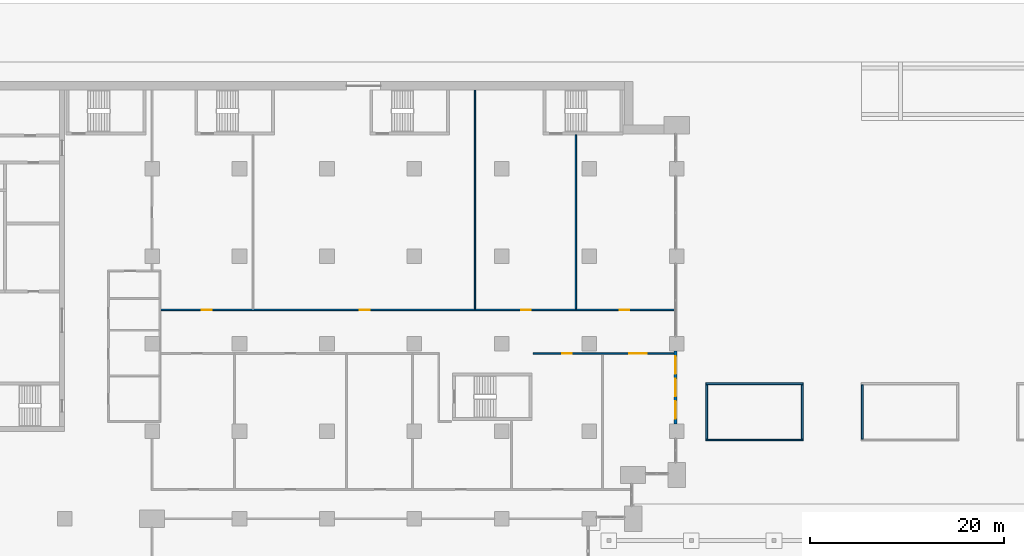
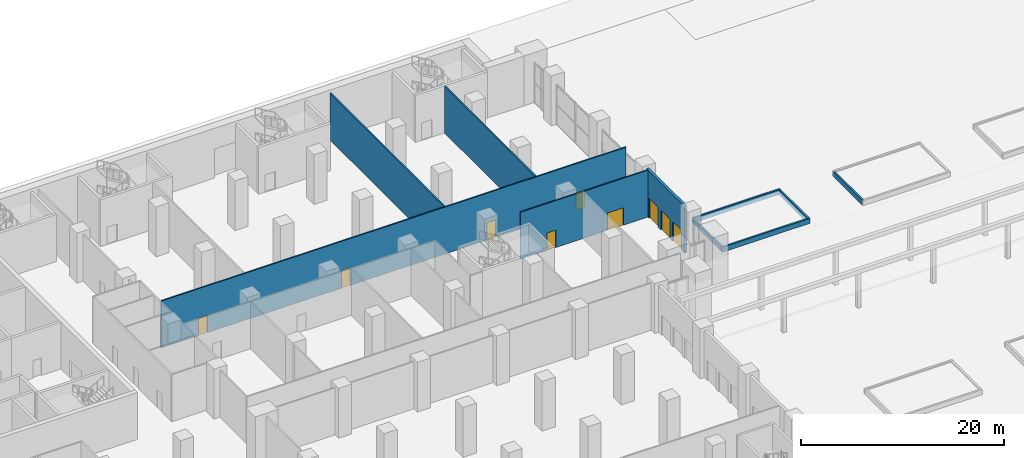
# One storey, part 22 of 47: 10 walls, 9 doors, 9 openings.
"""IFC4 building model written with IfcOpenShell, lengths in metres."""

from ifc_helpers import new_model, si_unit, direction, frame, frame_2d, origin, place, context, subcontext, project, spatial, rectangle, extrude, material, layer, layer_set, type_object, element, fill, save


model = new_model("IFC4")

# Units and contexts
model_context = context("Model", 3, precision=1e-05, world=origin(), true_north=direction((0.0, 1.0)))
body_context = subcontext(model_context, "Body", "Model", "MODEL_VIEW")
ifc_project = project(units=[si_unit("LENGTHUNIT", "METRE"), si_unit("AREAUNIT", "SQUARE_METRE"), si_unit("VOLUMEUNIT", "CUBIC_METRE"), si_unit("PLANEANGLEUNIT", "RADIAN"), si_unit("MASSUNIT", "GRAM", prefix="KILO")], contexts=[model_context])

# Site, building, storey
site_placement = place(None, origin())
site = spatial("IfcSite", under=ifc_project, at=site_placement, CompositionType="ELEMENT")
building_placement = place(site_placement, origin())
building = spatial("IfcBuilding", under=site, at=building_placement, Name="Hunhe Ridgeline Campus", CompositionType="ELEMENT")
storey_placement = place(building_placement, origin())
storey = spatial("IfcBuildingStorey", under=building, at=storey_placement, Name="L00", CompositionType="ELEMENT", Elevation=0.0)

# Wall, openings, doors
ifc_material_1 = material(Name="Plastered blockwork", Category="masonry")
ifc_layer_1 = layer(ifc_material_1, 0.14990234375)
ifc_layer_set_1 = layer_set([ifc_layer_1], Name="Blockwork partition 150")
wall_type_1 = type_object("IfcWallType", Name="Blockwork partition 150", PredefinedType="PARTITIONING", material=ifc_layer_set_1)
wall_1_placement = place(storey_placement, frame((84.199951171875, 71.0, 0.0), z_axis=(0.0, 0.0, 1.0), x_axis=(1.0, 0.0, 0.0)))
wall_1 = element("IfcWall", 1, at=wall_1_placement, inside=storey, type_object=wall_type_1, Name="L00 partition", PredefinedType="PARTITIONING", context=body_context, shape_type="SweptSolid", body=[
    extrude(rectangle(XDim=14.5, YDim=0.14990234375, at=frame_2d((7.25, 0.0))), origin(), (0.0, 0.0, 1.0), 5.64990234375),
])
opening_1_placement = place(wall_1_placement, frame((3.0, 0.0, 0.0)))
opening_1 = element("IfcOpeningElement", 2, at=opening_1_placement, cuts=wall_1, Name="Opening PD164", PredefinedType="OPENING", context=body_context, shape_type="SweptSolid", body=[
    extrude(rectangle(XDim=1.0, YDim=2.10009765625, at=frame_2d((0.5, 1.050048828125))), frame((0.0, 0.074951171875, 0.0), z_axis=(0.0, -1.0, 0.0), x_axis=(1.0, 0.0, 0.0)), (0.0, 0.0, 1.0), 0.14990234375),
])
opening_2_placement = place(wall_1_placement, frame((9.89599609375, 0.0, 0.0)))
opening_2 = element("IfcOpeningElement", 3, at=opening_2_placement, cuts=wall_1, Name="Opening PD165", PredefinedType="OPENING", context=body_context, shape_type="SweptSolid", body=[
    extrude(rectangle(XDim=1.800048828125, YDim=2.10009765625, at=frame_2d((0.89990234375, 1.050048828125))), frame((0.0, 0.074951171875, 0.0), z_axis=(0.0, -1.0, 0.0), x_axis=(1.0, 0.0, 0.0)), (0.0, 0.0, 1.0), 0.14990234375),
])
ifc_material_2 = material(Name="Timber", Category="wood")
door_type_1 = type_object("IfcDoorType", Name="Podium timber door 1000x2100", OperationType="NOTDEFINED", PredefinedType="DOOR", material=ifc_material_2)
door_1_placement = place(opening_1_placement, origin())
door_1 = element("IfcDoor", 4, at=door_1_placement, inside=storey, type_object=door_type_1, Name="Counselling Suite door", OperationType="SINGLE_SWING_LEFT", OverallHeight=2.10009765625, OverallWidth=1.0, PredefinedType="DOOR", context=body_context, shape_type="SweptSolid", body=[
    extrude(rectangle(XDim=1.0, YDim=2.10009765625, at=frame_2d((0.5, 1.050048828125))), frame((0.0, 0.02490234375, 0.0), z_axis=(0.0, -1.0, 0.0), x_axis=(1.0, 0.0, 0.0)), (0.0, 0.0, 1.0), 0.050048828125),
])
fill(opening_1, door_1)
door_type_2 = type_object("IfcDoorType", Name="Podium timber double door 1800x2100", OperationType="NOTDEFINED", PredefinedType="DOOR", material=ifc_material_2)
door_2_placement = place(opening_2_placement, origin())
door_2 = element("IfcDoor", 5, at=door_2_placement, inside=storey, type_object=door_type_2, Name="Multifaith Room door", OperationType="DOUBLE_DOOR_SINGLE_SWING", OverallHeight=2.10009765625, OverallWidth=1.800048828125, PredefinedType="DOOR", context=body_context, shape_type="SweptSolid", body=[
    extrude(rectangle(XDim=1.800048828125, YDim=2.10009765625, at=frame_2d((0.89990234375, 1.050048828125))), frame((0.0, 0.02490234375, 0.0), z_axis=(0.0, -1.0, 0.0), x_axis=(1.0, 0.0, 0.0)), (0.0, 0.0, 1.0), 0.050048828125),
])
fill(opening_2, door_2)

wall_2_placement = place(storey_placement, frame((98.820068359375, 75.5, 0.0), z_axis=(0.0, 0.0, 1.0), x_axis=(-1.0, 0.0, 0.0)))
wall_2 = element("IfcWall", 6, at=wall_2_placement, inside=storey, type_object=wall_type_1, Name="L00 partition", PredefinedType="PARTITIONING", context=body_context, shape_type="SweptSolid", body=[
    extrude(rectangle(XDim=52.945068359375, YDim=0.14990234375, at=frame_2d((26.47265625, 0.0))), origin(), (0.0, 0.0, 1.0), 5.64990234375),
])
opening_3_placement = place(wall_2_placement, frame((47.695068359375, 0.0, 0.0)))
opening_3 = element("IfcOpeningElement", 7, at=opening_3_placement, cuts=wall_2, Name="Opening PD166", PredefinedType="OPENING", context=body_context, shape_type="SweptSolid", body=[
    extrude(rectangle(XDim=1.0, YDim=2.10009765625, at=frame_2d((0.5, 1.050048828125))), frame((0.0, 0.074951171875, 0.0), z_axis=(0.0, -1.0, 0.0), x_axis=(1.0, 0.0, 0.0)), (0.0, 0.0, 1.0), 0.14990234375),
])
opening_4_placement = place(wall_2_placement, frame((31.43505859375, 0.0, 0.0)))
opening_4 = element("IfcOpeningElement", 8, at=opening_4_placement, cuts=wall_2, Name="Opening PD168", PredefinedType="OPENING", context=body_context, shape_type="SweptSolid", body=[
    extrude(rectangle(XDim=1.0, YDim=2.10009765625, at=frame_2d((0.5, 1.050048828125))), frame((0.0, 0.074951171875, 0.0), z_axis=(0.0, -1.0, 0.0), x_axis=(1.0, 0.0, 0.0)), (0.0, 0.0, 1.0), 0.14990234375),
])
opening_5_placement = place(wall_2_placement, frame((14.839111328125, 0.0, 0.0)))
opening_5 = element("IfcOpeningElement", 9, at=opening_5_placement, cuts=wall_2, Name="Opening PD169", PredefinedType="OPENING", context=body_context, shape_type="SweptSolid", body=[
    extrude(rectangle(XDim=1.0, YDim=2.10009765625, at=frame_2d((0.5, 1.050048828125))), frame((0.0, 0.074951171875, 0.0), z_axis=(0.0, -1.0, 0.0), x_axis=(1.0, 0.0, 0.0)), (0.0, 0.0, 1.0), 0.14990234375),
])
opening_6_placement = place(wall_2_placement, frame((4.705078125, 0.0, 0.0)))
opening_6 = element("IfcOpeningElement", 10, at=opening_6_placement, cuts=wall_2, Name="Opening PD170", PredefinedType="OPENING", context=body_context, shape_type="SweptSolid", body=[
    extrude(rectangle(XDim=1.0, YDim=2.10009765625, at=frame_2d((0.5, 1.050048828125))), frame((0.0, 0.074951171875, 0.0), z_axis=(0.0, -1.0, 0.0), x_axis=(1.0, 0.0, 0.0)), (0.0, 0.0, 1.0), 0.14990234375),
])
door_3_placement = place(opening_3_placement, origin())
door_3 = element("IfcDoor", 11, at=door_3_placement, inside=storey, type_object=door_type_1, Name="Goods Receiving Store door", OperationType="SINGLE_SWING_RIGHT", OverallHeight=2.10009765625, OverallWidth=1.0, PredefinedType="DOOR", context=body_context, shape_type="SweptSolid", body=[
    extrude(rectangle(XDim=1.0, YDim=2.10009765625, at=frame_2d((0.5, 1.050048828125))), frame((0.0, 0.02490234375, 0.0), z_axis=(0.0, -1.0, 0.0), x_axis=(1.0, 0.0, 0.0)), (0.0, 0.0, 1.0), 0.050048828125),
])
fill(opening_3, door_3)
door_4_placement = place(opening_4_placement, origin())
door_4 = element("IfcDoor", 12, at=door_4_placement, inside=storey, type_object=door_type_1, Name="Loading Bay door", OperationType="SINGLE_SWING_RIGHT", OverallHeight=2.10009765625, OverallWidth=1.0, PredefinedType="DOOR", context=body_context, shape_type="SweptSolid", body=[
    extrude(rectangle(XDim=1.0, YDim=2.10009765625, at=frame_2d((0.5, 1.050048828125))), frame((0.0, 0.02490234375, 0.0), z_axis=(0.0, -1.0, 0.0), x_axis=(1.0, 0.0, 0.0)), (0.0, 0.0, 1.0), 0.050048828125),
])
fill(opening_4, door_4)
door_5_placement = place(opening_5_placement, origin())
door_5 = element("IfcDoor", 13, at=door_5_placement, inside=storey, type_object=door_type_1, Name="Refuse Store door", OperationType="SINGLE_SWING_LEFT", OverallHeight=2.10009765625, OverallWidth=1.0, PredefinedType="DOOR", context=body_context, shape_type="SweptSolid", body=[
    extrude(rectangle(XDim=1.0, YDim=2.10009765625, at=frame_2d((0.5, 1.050048828125))), frame((0.0, 0.02490234375, 0.0), z_axis=(0.0, -1.0, 0.0), x_axis=(1.0, 0.0, 0.0)), (0.0, 0.0, 1.0), 0.050048828125),
])
fill(opening_5, door_5)
door_6_placement = place(opening_6_placement, origin())
door_6 = element("IfcDoor", 14, at=door_6_placement, inside=storey, type_object=door_type_1, Name="Book Delivery Room door", OperationType="SINGLE_SWING_LEFT", OverallHeight=2.10009765625, OverallWidth=1.0, PredefinedType="DOOR", context=body_context, shape_type="SweptSolid", body=[
    extrude(rectangle(XDim=1.0, YDim=2.10009765625, at=frame_2d((0.5, 1.050048828125))), frame((0.0, 0.02490234375, 0.0), z_axis=(0.0, -1.0, 0.0), x_axis=(1.0, 0.0, 0.0)), (0.0, 0.0, 1.0), 0.050048828125),
])
fill(opening_6, door_6)

# Walls
wall_3_placement = place(storey_placement, frame((78.23095703125, 75.574951171875, 0.0), z_axis=(0.0, 0.0, 1.0), x_axis=(0.0, 1.0, 0.0)))
element("IfcWall", 15, at=wall_3_placement, inside=storey, type_object=wall_type_1, Name="L00 partition", PredefinedType="PARTITIONING", context=body_context, shape_type="SweptSolid", body=[
    extrude(rectangle(XDim=22.525146484375, YDim=0.14990234375, at=frame_2d((11.2626953125, 0.0))), origin(), (0.0, 0.0, 1.0), 5.64990234375),
])
wall_4_placement = place(storey_placement, frame((88.614990234375, 75.574951171875, 0.0), z_axis=(0.0, 0.0, 1.0), x_axis=(0.0, 1.0, 0.0)))
element("IfcWall", 16, at=wall_4_placement, inside=storey, type_object=wall_type_1, Name="L00 partition", PredefinedType="PARTITIONING", context=body_context, shape_type="SweptSolid", body=[
    extrude(rectangle(XDim=17.925048828125, YDim=0.14990234375, at=frame_2d((8.96240234375, 0.0))), origin(), (0.0, 0.0, 1.0), 5.64990234375),
])

# Wall, openings, doors
ifc_material_3 = material(Name="Concrete C40", Category="concrete")
ifc_layer_2 = layer(ifc_material_3, 0.300048828125)
ifc_layer_set_2 = layer_set([ifc_layer_2], Name="External concrete wall 300 C40")
wall_type_2 = type_object("IfcWallType", Name="External concrete wall 300 C40", PredefinedType="SOLIDWALL", material=ifc_layer_set_2)
wall_5_placement = place(storey_placement, frame((98.85009765625, 71.25, 0.0), z_axis=(0.0, 0.0, 1.0), x_axis=(0.0, -1.0, 0.0)))
wall_5 = element("IfcWall", 17, at=wall_5_placement, inside=storey, type_object=wall_type_2, Name="L00 entrance wall", PredefinedType="SOLIDWALL", context=body_context, shape_type="SweptSolid", body=[
    extrude(rectangle(XDim=7.5, YDim=0.300048828125, at=frame_2d((3.75, 0.0))), origin(), (0.0, 0.0, 1.0), 5.64990234375),
])
opening_7_placement = place(wall_5_placement, frame((0.550048828125, 0.0, 0.0)))
opening_7 = element("IfcOpeningElement", 18, at=opening_7_placement, cuts=wall_5, Name="Opening XD1", PredefinedType="OPENING", context=body_context, shape_type="SweptSolid", body=[
    extrude(rectangle(XDim=1.800048828125, YDim=2.39990234375, at=frame_2d((0.89990234375, 1.199951171875))), frame((0.0, 0.14990234375, 0.0), z_axis=(0.0, -1.0, 0.0), x_axis=(1.0, 0.0, 0.0)), (0.0, 0.0, 1.0), 0.300048828125),
])
opening_8_placement = place(wall_5_placement, frame((2.85009765625, 0.0, 0.0)))
opening_8 = element("IfcOpeningElement", 19, at=opening_8_placement, cuts=wall_5, Name="Opening XD2", PredefinedType="OPENING", context=body_context, shape_type="SweptSolid", body=[
    extrude(rectangle(XDim=1.800048828125, YDim=2.39990234375, at=frame_2d((0.89990234375, 1.199951171875))), frame((0.0, 0.14990234375, 0.0), z_axis=(0.0, -1.0, 0.0), x_axis=(1.0, 0.0, 0.0)), (0.0, 0.0, 1.0), 0.300048828125),
])
opening_9_placement = place(wall_5_placement, frame((5.14990234375, 0.0, 0.0)))
opening_9 = element("IfcOpeningElement", 20, at=opening_9_placement, cuts=wall_5, Name="Opening XD3", PredefinedType="OPENING", context=body_context, shape_type="SweptSolid", body=[
    extrude(rectangle(XDim=1.800048828125, YDim=2.39990234375, at=frame_2d((0.89990234375, 1.199951171875))), frame((0.0, 0.14990234375, 0.0), z_axis=(0.0, -1.0, 0.0), x_axis=(1.0, 0.0, 0.0)), (0.0, 0.0, 1.0), 0.300048828125),
])
ifc_material_4 = material(Name="Aluminium and glass", Category="aluminium")
door_type_3 = type_object("IfcDoorType", Name="Podium glazed entrance door 1800x2400", OperationType="NOTDEFINED", PredefinedType="DOOR", material=ifc_material_4)
door_7_placement = place(opening_7_placement, origin())
door_7 = element("IfcDoor", 21, at=door_7_placement, inside=storey, type_object=door_type_3, Name="Entrance door XD1", OperationType="DOUBLE_DOOR_SINGLE_SWING", OverallHeight=2.39990234375, OverallWidth=1.800048828125, PredefinedType="DOOR", context=body_context, shape_type="SweptSolid", body=[
    extrude(rectangle(XDim=1.800048828125, YDim=2.39990234375, at=frame_2d((0.89990234375, 1.199951171875))), frame((0.0, 0.02490234375, 0.0), z_axis=(0.0, -1.0, 0.0), x_axis=(1.0, 0.0, 0.0)), (0.0, 0.0, 1.0), 0.050048828125),
])
fill(opening_7, door_7)
door_8_placement = place(opening_8_placement, origin())
door_8 = element("IfcDoor", 22, at=door_8_placement, inside=storey, type_object=door_type_3, Name="Entrance door XD2", OperationType="DOUBLE_DOOR_SINGLE_SWING", OverallHeight=2.39990234375, OverallWidth=1.800048828125, PredefinedType="DOOR", context=body_context, shape_type="SweptSolid", body=[
    extrude(rectangle(XDim=1.800048828125, YDim=2.39990234375, at=frame_2d((0.89990234375, 1.199951171875))), frame((0.0, 0.02490234375, 0.0), z_axis=(0.0, -1.0, 0.0), x_axis=(1.0, 0.0, 0.0)), (0.0, 0.0, 1.0), 0.050048828125),
])
fill(opening_8, door_8)
door_9_placement = place(opening_9_placement, origin())
door_9 = element("IfcDoor", 23, at=door_9_placement, inside=storey, type_object=door_type_3, Name="Entrance door XD3", OperationType="DOUBLE_DOOR_SINGLE_SWING", OverallHeight=2.39990234375, OverallWidth=1.800048828125, PredefinedType="DOOR", context=body_context, shape_type="SweptSolid", body=[
    extrude(rectangle(XDim=1.800048828125, YDim=2.39990234375, at=frame_2d((0.89990234375, 1.199951171875))), frame((0.0, 0.02490234375, 0.0), z_axis=(0.0, -1.0, 0.0), x_axis=(1.0, 0.0, 0.0)), (0.0, 0.0, 1.0), 0.050048828125),
])
fill(opening_9, door_9)

# Walls
ifc_material_5 = material(Name="Concrete C30", Category="concrete")
ifc_layer_3 = layer(ifc_material_5, 0.199951171875)
ifc_layer_set_3 = layer_set([ifc_layer_3], Name="Planter kerb wall 200 C30")
wall_type_3 = type_object("IfcWallType", Name="Planter kerb wall 200 C30", PredefinedType="SOLIDWALL", material=ifc_layer_set_3)
wall_6_placement = place(storey_placement, frame((102.0, 62.10009765625, 0.0), z_axis=(0.0, 0.0, 1.0), x_axis=(1.0, 0.0, 0.0)))
element("IfcWall", 24, at=wall_6_placement, inside=storey, type_object=wall_type_3, Name="Garden planter 4 kerb", PredefinedType="SOLIDWALL", context=body_context, shape_type="SweptSolid", body=[
    extrude(rectangle(XDim=10.0, YDim=0.199951171875, at=frame_2d((5.0, 0.0))), origin(), (0.0, 0.0, 1.0), 0.60009765625),
])
wall_7_placement = place(storey_placement, frame((111.89990234375, 62.199951171875, 0.0), z_axis=(0.0, 0.0, 1.0), x_axis=(0.0, 1.0, 0.0)))
element("IfcWall", 25, at=wall_7_placement, inside=storey, type_object=wall_type_3, Name="Garden planter 4 kerb", PredefinedType="SOLIDWALL", context=body_context, shape_type="SweptSolid", body=[
    extrude(rectangle(XDim=5.60009765625, YDim=0.199951171875, at=frame_2d((2.800048828125, 0.0))), origin(), (0.0, 0.0, 1.0), 0.60009765625),
])
wall_8_placement = place(storey_placement, frame((112.0, 67.89990234375, 0.0), z_axis=(0.0, 0.0, 1.0), x_axis=(-1.0, 0.0, 0.0)))
element("IfcWall", 26, at=wall_8_placement, inside=storey, type_object=wall_type_3, Name="Garden planter 4 kerb", PredefinedType="SOLIDWALL", context=body_context, shape_type="SweptSolid", body=[
    extrude(rectangle(XDim=10.0, YDim=0.199951171875, at=frame_2d((5.0, 0.0))), origin(), (0.0, 0.0, 1.0), 0.60009765625),
])
for number, where, z_axis, x_axis, name in (
    (27, (102.10009765625, 67.800048828125, 0.0), (0.0, 0.0, 1.0), (0.0, -1.0, 0.0), "Garden planter 4 kerb"),
    (28, (118.10009765625, 67.800048828125, 0.0), (0.0, 0.0, 1.0), (0.0, -1.0, 0.0), "Garden planter 5 kerb"),
):
    element("IfcWall", number, at=place(storey_placement, frame(where, z_axis=z_axis, x_axis=x_axis)), inside=storey, type_object=wall_type_3, Name=name, PredefinedType="SOLIDWALL", context=body_context, shape_type="SweptSolid", body=[
        extrude(rectangle(XDim=5.60009765625, YDim=0.199951171875, at=frame_2d((2.800048828125, 0.0))), origin(), (0.0, 0.0, 1.0), 0.60009765625),
    ])

save(model, "model.ifc")
